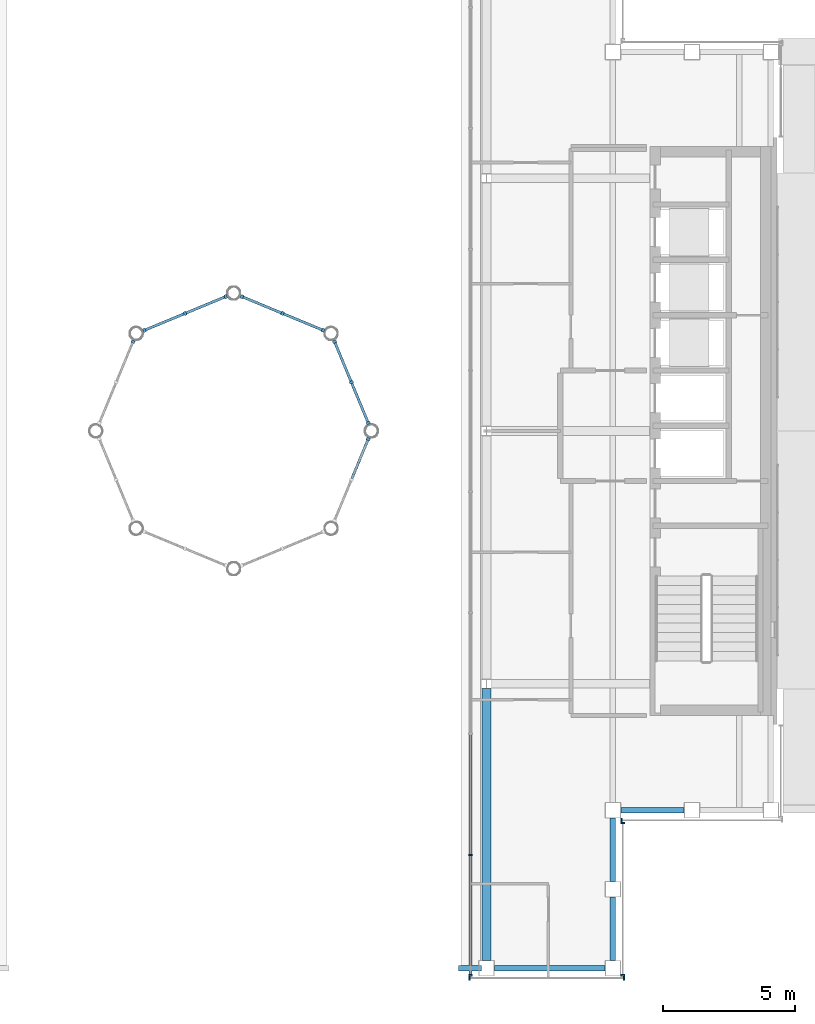
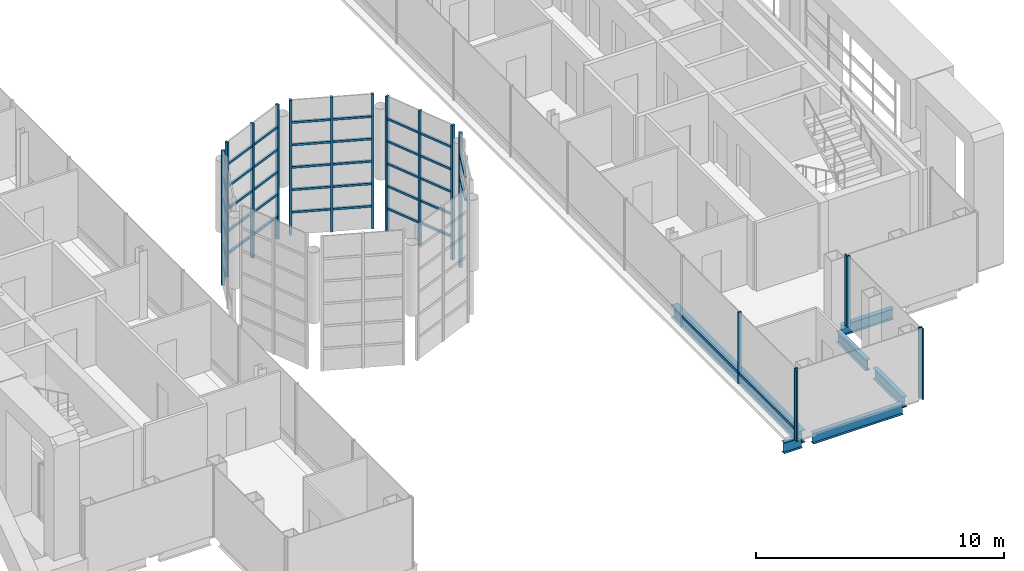
# One storey, part 6 of 21: 52 members, 6 beams, 9 elements without a shape of their own.
"""IFC4 building model written with IfcOpenShell, lengths in metres."""

import ifcopenshell
import ifcopenshell.guid

model = None  # the IFC model being written
_history = None  # IfcOwnerHistory: only IFC2X3 demands one
_inside = {}  # id of a spatial element -> (the spatial element, [elements in it])
_under = {}  # id of a project, library or spatial element -> (it, [spatial elements below it])
_declared = {}  # id of a project -> (the project, [libraries it declares])
_typed = {}  # id of a type object -> (the type object, [elements of that type])
_made_of = {}  # id of a material, layer set ... -> (it, [elements and type objects made of it])


def new_model(schema):
    """Start an empty IFC model of exactly this schema.

    Asked for "IFC4X3", IfcOpenShell would pick the latest addendum, in which some entities
    have other attributes; the version numbers below select the first issue.
    IFC2X3 requires an IfcOwnerHistory on every rooted entity: one is made here for all.
    """
    global model, _history
    if schema == "IFC4X3":
        model = ifcopenshell.file(schema_version=(4, 3, 0, 0))
    else:
        model = ifcopenshell.file(schema=schema)
    _inside.clear()
    _under.clear()
    _declared.clear()
    _typed.clear()
    _made_of.clear()
    _history = None
    if model.schema == "IFC2X3":
        org = make("IfcOrganization", Name="unknown")
        user = make(
            "IfcPersonAndOrganization",
            ThePerson=make("IfcPerson", FamilyName="unknown"),
            TheOrganization=org,
        )
        app = make(
            "IfcApplication",
            ApplicationDeveloper=org,
            Version="unknown",
            ApplicationFullName="unknown",
            ApplicationIdentifier="unknown",
        )
        _history = make(
            "IfcOwnerHistory",
            OwningUser=user,
            OwningApplication=app,
            ChangeAction="ADDED",
            CreationDate=0,
        )
    return model


def make(cls, **values):
    """One entity of the class cls with the attributes given. An attribute that is None is left unset."""
    return model.create_entity(
        cls, **{name: value for name, value in values.items() if value is not None}
    )


def rooted(cls, **values):
    """An entity with a GlobalId (a new one), such as an element, a storey or a relation."""
    return make(cls, GlobalId=ifcopenshell.guid.new(), OwnerHistory=_history, **values)


def si_unit(unit_type, name, prefix=None):
    """IfcSIUnit, for example si_unit("LENGTHUNIT", "METRE", prefix="MILLI")."""
    return make("IfcSIUnit", UnitType=unit_type, Prefix=prefix, Name=name)


def assignment(units):
    """IfcUnitAssignment: the units of a project."""
    return None if units is None else make("IfcUnitAssignment", Units=units)


def point(xyz):
    """IfcCartesianPoint."""
    return None if xyz is None else make("IfcCartesianPoint", Coordinates=xyz)


def direction(xyz):
    """IfcDirection."""
    return None if xyz is None else make("IfcDirection", DirectionRatios=xyz)


def frame(location, z_axis=None, x_axis=None):
    """IfcAxis2Placement3D, a coordinate frame: its origin and axes. An axis left out is left unset."""
    return make(
        "IfcAxis2Placement3D",
        Location=point(location),
        Axis=direction(z_axis),
        RefDirection=direction(x_axis),
    )


def frame_2d(location, x_axis=None):
    """IfcAxis2Placement2D, a coordinate frame in the plane: its origin and x axis."""
    return make(
        "IfcAxis2Placement2D", Location=point(location), RefDirection=direction(x_axis)
    )


def origin():
    """The frame at (0, 0, 0) with its axes left unset."""
    return frame((0.0, 0.0, 0.0))


def origin_2d():
    """The frame at (0, 0) in the plane with its x axis left unset."""
    return frame_2d((0.0, 0.0))


def place(relative_to, where):
    """IfcLocalPlacement: puts the frame where relative to a parent placement (None: the world)."""
    return make(
        "IfcLocalPlacement", PlacementRelTo=relative_to, RelativePlacement=where
    )


def context(
    kind, dimensions, precision=None, world=None, true_north=None, identifier=None
):
    """IfcGeometricRepresentationContext, for example the 3D "Model" context."""
    return make(
        "IfcGeometricRepresentationContext",
        ContextIdentifier=identifier,
        ContextType=kind,
        CoordinateSpaceDimension=dimensions,
        Precision=precision,
        WorldCoordinateSystem=world,
        TrueNorth=true_north,
    )


def subcontext(parent, identifier, kind, view, scale=None):
    """IfcGeometricRepresentationSubContext, for example "Body" below "Model"."""
    return make(
        "IfcGeometricRepresentationSubContext",
        ContextIdentifier=identifier,
        ContextType=kind,
        ParentContext=parent,
        TargetScale=scale,
        TargetView=view,
    )


def project(units=None, contexts=None):
    """IfcProject with its units and contexts."""
    return rooted(
        "IfcProject",
        Name="project",
        RepresentationContexts=contexts,
        UnitsInContext=assignment(units),
    )


def spatial(cls, under=None, at=None, **own):
    """A site, building, storey or space (cls), placed at a placement, below another one or the project."""
    s = rooted(cls, ObjectPlacement=at, **own)
    if under is not None:
        _under.setdefault(under.id(), (under, []))[1].append(s)
    return s


def profile(cls, at=None, kind="AREA", **sizes):
    """A parametric profile (cls). Its sizes go by their IFC names, for example OverallWidth=200.0."""
    return make(cls, ProfileType=kind, Position=at, **sizes)


def rectangle(**sizes):
    """IfcRectangleProfileDef."""
    return profile("IfcRectangleProfileDef", **sizes)


def i_section(**sizes):
    """IfcIShapeProfileDef."""
    return profile("IfcIShapeProfileDef", **sizes)


def extrude(swept, where, along, depth):
    """IfcExtrudedAreaSolid: the profile swept, set in the frame where, extruded along a direction by depth."""
    return make(
        "IfcExtrudedAreaSolid",
        SweptArea=swept,
        Position=where,
        ExtrudedDirection=direction(along),
        Depth=depth,
    )


def shape(context_of_items, identifier, shape_type, items):
    """IfcShapeRepresentation: the items that make up one representation, for example the "Body"."""
    return make(
        "IfcShapeRepresentation",
        ContextOfItems=context_of_items,
        RepresentationIdentifier=identifier,
        RepresentationType=shape_type,
        Items=items,
    )


def material(Name=None, Category=None):
    """IfcMaterial."""
    return make("IfcMaterial", Name=Name, Category=Category)


def material_profile(
    of_material, cross_section, Name=None, Category=None, Priority=None
):
    """IfcMaterialProfile: a cross section and its material."""
    return make(
        "IfcMaterialProfile",
        Name=Name,
        Material=of_material,
        Profile=cross_section,
        Priority=Priority,
        Category=Category,
    )


def profile_set(profiles, Name=None, composite=None):
    """IfcMaterialProfileSet."""
    return make(
        "IfcMaterialProfileSet",
        Name=Name,
        MaterialProfiles=profiles,
        CompositeProfile=composite,
    )


def made_of(thing, what):
    """Note that an element or type object is made of a material, layer set ...; save() writes the relation."""
    if what is not None:
        _made_of.setdefault(what.id(), (what, []))[1].append(thing)
    return thing


def type_object(cls, material=None, **own):
    """A type object (cls), such as IfcWallType, which elements share."""
    return made_of(rooted(cls, **own), material)


def element(
    cls,
    number,
    at=None,
    inside=None,
    cuts=None,
    type_object=None,
    material=None,
    context=None,
    identifier="Body",
    shape_type=None,
    held_by="IfcProductDefinitionShape",
    body=None,
    shapes=None,
    **own,
):
    """One element of the class cls, such as IfcWall. Its Tag is "e" and its number.

    at: its placement. inside: the storey or other place that contains it. cuts: it is an
    opening in that element (IfcRelVoidsElement). A single representation is given by context,
    identifier, shape_type and body (its items); several are given by shapes. held_by: the class
    of the entity that holds the representations. save() writes the other relations.
    """
    e = rooted(cls, Tag="e%d" % number, ObjectPlacement=at, **own)
    if body is not None:
        shapes = [shape(context, identifier, shape_type, body)]
    if shapes is not None:
        e.Representation = make(held_by, Representations=shapes)
    if inside is not None:
        _inside.setdefault(inside.id(), (inside, []))[1].append(e)
    if cuts is not None:
        rooted(
            "IfcRelVoidsElement", RelatingBuildingElement=cuts, RelatedOpeningElement=e
        )
    if type_object is not None:
        _typed.setdefault(type_object.id(), (type_object, []))[1].append(e)
    return made_of(e, material)


def aggregate(whole, parts):
    """IfcRelAggregates: a whole, such as a stair, and the parts it consists of."""
    return rooted("IfcRelAggregates", RelatingObject=whole, RelatedObjects=parts)


def save(model, path):
    """Write the relations noted so far, then the file.

    IfcRelAggregates (storeys below a building ...), IfcRelContainedInSpatialStructure (elements
    in a storey), IfcRelDefinesByType, IfcRelAssociatesMaterial and IfcRelDeclares: one each for
    every whole, place, type object, material and project.
    """
    for whole, parts in _under.values():
        aggregate(whole, parts)
    for where, things in _inside.values():
        rooted(
            "IfcRelContainedInSpatialStructure",
            RelatedElements=things,
            RelatingStructure=where,
        )
    for kind, things in _typed.values():
        rooted("IfcRelDefinesByType", RelatedObjects=things, RelatingType=kind)
    for what, things in _made_of.values():
        rooted("IfcRelAssociatesMaterial", RelatedObjects=things, RelatingMaterial=what)
    for by, libraries in _declared.values():
        rooted("IfcRelDeclares", RelatingContext=by, RelatedDefinitions=libraries)
    model.write(path)


model = new_model("IFC4")

# Units and contexts
model_context = context("Model", 3, precision=1e-05, world=origin(), true_north=direction((0.0, 1.0)))
body_context = subcontext(model_context, "Body", "Model", "MODEL_VIEW")
ifc_project = project(units=[si_unit("LENGTHUNIT", "METRE"), si_unit("AREAUNIT", "SQUARE_METRE"), si_unit("VOLUMEUNIT", "CUBIC_METRE"), si_unit("PLANEANGLEUNIT", "RADIAN"), si_unit("MASSUNIT", "GRAM", prefix="KILO")], contexts=[model_context])

# Site, building, storey
site_placement = place(None, origin())
site = spatial("IfcSite", under=ifc_project, at=site_placement, CompositionType="ELEMENT")
building_placement = place(site_placement, origin())
building = spatial("IfcBuilding", under=site, at=building_placement, Name="Cobrizo Arcos Hotel Tower", CompositionType="ELEMENT")
storey_placement = place(building_placement, frame((0.0, 0.0, 276.0)))
storey = spatial("IfcBuildingStorey", under=building, at=storey_placement, Name="L73", CompositionType="ELEMENT", Elevation=276.0)

# Curtain wall, members
ifc_material_1 = material(Name="Aluminium 6063-T6 anodised bronze", Category="aluminium")
curtain_wall_type_1 = type_object("IfcCurtainWallType", Name="CW-A guest facade", PredefinedType="NOTDEFINED", material=ifc_material_1)
curtain_wall_1_placement = place(storey_placement, origin())
curtain_wall_1 = element("IfcCurtainWall", 1, at=curtain_wall_1_placement, inside=storey, type_object=curtain_wall_type_1, Name="CW-A L73 S face", PredefinedType="NOTDEFINED")
ifc_material_profile_1 = material_profile(ifc_material_1, rectangle(XDim=0.14990234375, YDim=0.06005859375, at=origin_2d()), Name="CW-A mullion 150x60")
ifc_profile_set_1 = profile_set([ifc_material_profile_1], Name="Aluminium 6063-T6 anodised bronze")
member_type_1 = type_object("IfcMemberType", Name="CW-A mullion 150x60", PredefinedType="MULLION", material=ifc_profile_set_1)
member_1_placement = place(storey_placement, frame((8.945068359375, -20.77490234375, 0.0), z_axis=(0.0, 0.0, 1.0), x_axis=(0.0, -1.0, 0.0)))
member_1 = element("IfcMember", 2, at=member_1_placement, type_object=member_type_1, Name="CW-A mullion 1", PredefinedType="MULLION", context=body_context, shape_type="SweptSolid", body=[
    extrude(rectangle(XDim=0.14990234375, YDim=0.06005859375, at=origin_2d()), origin(), (0.0, 0.0, 1.0), 3.5),
])
member_2_placement = place(storey_placement, frame((14.820068359375, -20.77490234375, 0.0), z_axis=(0.0, 0.0, 1.0), x_axis=(0.0, -1.0, 0.0)))
member_2 = element("IfcMember", 3, at=member_2_placement, type_object=member_type_1, Name="CW-A mullion 2", PredefinedType="MULLION", context=body_context, shape_type="SweptSolid", body=[
    extrude(rectangle(XDim=0.14990234375, YDim=0.06005859375, at=origin_2d()), origin(), (0.0, 0.0, 1.0), 3.5),
])
aggregate(curtain_wall_1, [member_1, member_2])

curtain_wall_2_placement = place(storey_placement, origin())
curtain_wall_2 = element("IfcCurtainWall", 4, at=curtain_wall_2_placement, inside=storey, type_object=curtain_wall_type_1, Name="CW-A L73 E face", PredefinedType="NOTDEFINED")
member_3_placement = place(storey_placement, frame((14.77490234375, -20.669921875, 0.0), z_axis=(0.0, 0.0, 1.0), x_axis=(1.0, 0.0, 0.0)))
member_3 = element("IfcMember", 5, at=member_3_placement, type_object=member_type_1, Name="CW-A mullion 1", PredefinedType="MULLION", context=body_context, shape_type="SweptSolid", body=[
    extrude(rectangle(XDim=0.14990234375, YDim=0.06005859375, at=origin_2d()), origin(), (0.0, 0.0, 1.0), 3.5),
])
member_4_placement = place(storey_placement, frame((14.77490234375, -14.8798828125, 0.0), z_axis=(0.0, 0.0, 1.0), x_axis=(1.0, 0.0, 0.0)))
member_4 = element("IfcMember", 6, at=member_4_placement, type_object=member_type_1, Name="CW-A mullion 2", PredefinedType="MULLION", context=body_context, shape_type="SweptSolid", body=[
    extrude(rectangle(XDim=0.14990234375, YDim=0.06005859375, at=origin_2d()), origin(), (0.0, 0.0, 1.0), 3.5),
])
aggregate(curtain_wall_2, [member_3, member_4])

# Curtain wall, member
curtain_wall_3_placement = place(storey_placement, origin())
curtain_wall_3 = element("IfcCurtainWall", 7, at=curtain_wall_3_placement, inside=storey, type_object=curtain_wall_type_1, Name="CW-A L73 S face", PredefinedType="NOTDEFINED")
member_5_placement = place(storey_placement, frame((14.72998046875, -14.77490234375, 0.0), z_axis=(0.0, 0.0, 1.0), x_axis=(0.0, -1.0, 0.0)))
member_5 = element("IfcMember", 8, at=member_5_placement, type_object=member_type_1, Name="CW-A mullion 1", PredefinedType="MULLION", context=body_context, shape_type="SweptSolid", body=[
    extrude(rectangle(XDim=0.14990234375, YDim=0.06005859375, at=origin_2d()), origin(), (0.0, 0.0, 1.0), 3.5),
])
aggregate(curtain_wall_3, [member_5])

# Curtain wall, members
curtain_wall_type_2 = type_object("IfcCurtainWallType", Name="CW-C arch infill and crown glazing", PredefinedType="NOTDEFINED", material=ifc_material_1)
curtain_wall_4_placement = place(storey_placement, origin())
curtain_wall_4 = element("IfcCurtainWall", 9, at=curtain_wall_4_placement, inside=storey, type_object=curtain_wall_type_2, Name="CW-C L73 W face", PredefinedType="NOTDEFINED")
ifc_material_profile_2 = material_profile(ifc_material_1, rectangle(XDim=0.14990234375, YDim=0.070068359375, at=origin_2d()), Name="CW-C mullion 150x70")
ifc_profile_set_2 = profile_set([ifc_material_profile_2], Name="Aluminium 6063-T6 anodised bronze")
member_type_2 = type_object("IfcMemberType", Name="CW-C mullion 150x70", PredefinedType="MULLION", material=ifc_profile_set_2)
member_6_placement = place(storey_placement, frame((8.989990234375, -16.10009765625, 0.0), z_axis=(0.0, 0.0, 1.0), x_axis=(-1.0, 0.0, 0.0)))
member_6 = element("IfcMember", 10, at=member_6_placement, type_object=member_type_2, Name="CW-C mullion 9", PredefinedType="MULLION", context=body_context, shape_type="SweptSolid", body=[
    extrude(rectangle(XDim=0.14990234375, YDim=0.070068359375, at=origin_2d()), origin(), (0.0, 0.0, 1.0), 3.5),
])
member_7_placement = place(storey_placement, frame((8.989990234375, -20.6650390625, 0.0), z_axis=(0.0, 0.0, 1.0), x_axis=(-1.0, 0.0, 0.0)))
member_7 = element("IfcMember", 11, at=member_7_placement, type_object=member_type_2, Name="CW-C mullion 10", PredefinedType="MULLION", context=body_context, shape_type="SweptSolid", body=[
    extrude(rectangle(XDim=0.14990234375, YDim=0.070068359375, at=origin_2d()), origin(), (0.0, 0.0, 1.0), 3.5),
])
ifc_material_profile_3 = material_profile(ifc_material_1, rectangle(XDim=0.10009765625, YDim=0.139892578125, at=origin_2d()), Name="CW-C transom 140x100")
ifc_profile_set_3 = profile_set([ifc_material_profile_3], Name="Aluminium 6063-T6 anodised bronze")
member_type_3 = type_object("IfcMemberType", Name="CW-C transom 140x100", PredefinedType="USERDEFINED", material=ifc_profile_set_3)
member_8_placement = place(storey_placement, frame((8.989990234375, -11.534912109375, 0.5), z_axis=(0.0, -1.0, 0.0), x_axis=(1.0, 0.0, 0.0)))
member_8 = element("IfcMember", 12, at=member_8_placement, type_object=member_type_3, Name="CW-C transom 2298", ObjectType="TRANSOM", PredefinedType="USERDEFINED", context=body_context, shape_type="SweptSolid", body=[
    extrude(rectangle(XDim=0.10009765625, YDim=0.139892578125, at=origin_2d()), origin(), (0.0, 0.0, 1.0), 4.530029296875),
])
member_9_placement = place(storey_placement, frame((8.989990234375, -16.135009765625, 0.5), z_axis=(0.0, -1.0, 0.0), x_axis=(1.0, 0.0, 0.0)))
member_9 = element("IfcMember", 13, at=member_9_placement, type_object=member_type_3, Name="CW-C transom 2299", ObjectType="TRANSOM", PredefinedType="USERDEFINED", context=body_context, shape_type="SweptSolid", body=[
    extrude(rectangle(XDim=0.10009765625, YDim=0.139892578125, at=origin_2d()), origin(), (0.0, 0.0, 1.0), 4.494873046875),
])
aggregate(curtain_wall_4, [member_6, member_7, member_8, member_9])

curtain_wall_type_3 = type_object("IfcCurtainWallType", Name="CW-D plant louvre wall", PredefinedType="NOTDEFINED", material=ifc_material_1)
curtain_wall_5_placement = place(storey_placement, origin())
curtain_wall_5 = element("IfcCurtainWall", 14, at=curtain_wall_5_placement, inside=storey, type_object=curtain_wall_type_3, Name="CW-D drum louvre wall t1-1", PredefinedType="NOTDEFINED")
ifc_material_profile_4 = material_profile(ifc_material_1, rectangle(XDim=0.14990234375, YDim=0.10009765625, at=origin_2d()), Name="CW-D mullion 150x100")
ifc_profile_set_4 = profile_set([ifc_material_profile_4], Name="Aluminium 6063-T6 anodised bronze")
member_type_4 = type_object("IfcMemberType", Name="CW-D mullion 150x100", PredefinedType="MULLION", material=ifc_profile_set_4)
member_10_placement = place(storey_placement, frame((5.104736328125, 0.30859375, -2.5), z_axis=(0.0, 0.0, 1.0), x_axis=(0.923879532511, 0.382683432365, 0.0)))
member_10 = element("IfcMember", 15, at=member_10_placement, type_object=member_type_4, Name="CW-D mullion 1", PredefinedType="MULLION", context=body_context, shape_type="SweptSolid", body=[
    extrude(rectangle(XDim=0.14990234375, YDim=0.10009765625, at=origin_2d()), origin(), (0.0, 0.0, 1.0), 6.63330078125),
])
member_11_placement = place(storey_placement, frame((4.46630859375, 1.85009765625, -2.5), z_axis=(0.0, 0.0, 1.0), x_axis=(0.923879532511, 0.382683432365, 0.0)))
member_11 = element("IfcMember", 16, at=member_11_placement, type_object=member_type_4, Name="CW-D mullion 2", PredefinedType="MULLION", context=body_context, shape_type="SweptSolid", body=[
    extrude(rectangle(XDim=0.14990234375, YDim=0.10009765625, at=origin_2d()), origin(), (0.0, 0.0, 1.0), 6.63330078125),
])
member_12_placement = place(storey_placement, frame((3.827880859375, 3.391357421875, -2.5), z_axis=(0.0, 0.0, 1.0), x_axis=(0.923879532511, 0.382683432365, 0.0)))
member_12 = element("IfcMember", 17, at=member_12_placement, type_object=member_type_4, Name="CW-D mullion 3", PredefinedType="MULLION", context=body_context, shape_type="SweptSolid", body=[
    extrude(rectangle(XDim=0.14990234375, YDim=0.10009765625, at=origin_2d()), origin(), (0.0, 0.0, 1.0), 6.63330078125),
])

curtain_wall_6_placement = place(storey_placement, origin())
curtain_wall_6 = element("IfcCurtainWall", 18, at=curtain_wall_6_placement, inside=storey, type_object=curtain_wall_type_3, Name="CW-D drum louvre wall t1-2", PredefinedType="NOTDEFINED")
member_13_placement = place(storey_placement, frame((3.391357421875, 3.827880859375, -2.5), z_axis=(0.0, 0.0, 1.0), x_axis=(0.382683432365, 0.923879532511, 0.0)))
member_13 = element("IfcMember", 19, at=member_13_placement, type_object=member_type_4, Name="CW-D mullion 1", PredefinedType="MULLION", context=body_context, shape_type="SweptSolid", body=[
    extrude(rectangle(XDim=0.14990234375, YDim=0.10009765625, at=origin_2d()), origin(), (0.0, 0.0, 1.0), 6.63330078125),
])
member_14_placement = place(storey_placement, frame((1.85009765625, 4.46630859375, -2.5), z_axis=(0.0, 0.0, 1.0), x_axis=(0.382683432365, 0.923879532511, 0.0)))
member_14 = element("IfcMember", 20, at=member_14_placement, type_object=member_type_4, Name="CW-D mullion 2", PredefinedType="MULLION", context=body_context, shape_type="SweptSolid", body=[
    extrude(rectangle(XDim=0.14990234375, YDim=0.10009765625, at=origin_2d()), origin(), (0.0, 0.0, 1.0), 6.63330078125),
])
member_15_placement = place(storey_placement, frame((0.30859375, 5.104736328125, -2.5), z_axis=(0.0, 0.0, 1.0), x_axis=(0.382683432365, 0.923879532511, 0.0)))
member_15 = element("IfcMember", 21, at=member_15_placement, type_object=member_type_4, Name="CW-D mullion 3", PredefinedType="MULLION", context=body_context, shape_type="SweptSolid", body=[
    extrude(rectangle(XDim=0.14990234375, YDim=0.10009765625, at=origin_2d()), origin(), (0.0, 0.0, 1.0), 6.63330078125),
])

curtain_wall_7_placement = place(storey_placement, origin())
curtain_wall_7 = element("IfcCurtainWall", 22, at=curtain_wall_7_placement, inside=storey, type_object=curtain_wall_type_3, Name="CW-D drum louvre wall t1-3", PredefinedType="NOTDEFINED")
member_16_placement = place(storey_placement, frame((-0.30859375, 5.104736328125, -2.5), z_axis=(0.0, 0.0, 1.0), x_axis=(-0.382683432365, 0.923879532511, 0.0)))
member_16 = element("IfcMember", 23, at=member_16_placement, type_object=member_type_4, Name="CW-D mullion 1", PredefinedType="MULLION", context=body_context, shape_type="SweptSolid", body=[
    extrude(rectangle(XDim=0.14990234375, YDim=0.10009765625, at=origin_2d()), origin(), (0.0, 0.0, 1.0), 6.63330078125),
])
member_17_placement = place(storey_placement, frame((-1.85009765625, 4.46630859375, -2.5), z_axis=(0.0, 0.0, 1.0), x_axis=(-0.382683432365, 0.923879532511, 0.0)))
member_17 = element("IfcMember", 24, at=member_17_placement, type_object=member_type_4, Name="CW-D mullion 2", PredefinedType="MULLION", context=body_context, shape_type="SweptSolid", body=[
    extrude(rectangle(XDim=0.14990234375, YDim=0.10009765625, at=origin_2d()), origin(), (0.0, 0.0, 1.0), 6.63330078125),
])
member_18_placement = place(storey_placement, frame((-3.391357421875, 3.827880859375, -2.5), z_axis=(0.0, 0.0, 1.0), x_axis=(-0.382683432365, 0.923879532511, 0.0)))
member_18 = element("IfcMember", 25, at=member_18_placement, type_object=member_type_4, Name="CW-D mullion 3", PredefinedType="MULLION", context=body_context, shape_type="SweptSolid", body=[
    extrude(rectangle(XDim=0.14990234375, YDim=0.10009765625, at=origin_2d()), origin(), (0.0, 0.0, 1.0), 6.63330078125),
])

# Curtain wall, member
curtain_wall_8_placement = place(storey_placement, origin())
curtain_wall_8 = element("IfcCurtainWall", 26, at=curtain_wall_8_placement, inside=storey, type_object=curtain_wall_type_3, Name="CW-D drum louvre wall t1-4", PredefinedType="NOTDEFINED")
member_19_placement = place(storey_placement, frame((-3.827880859375, 3.391357421875, -2.5), z_axis=(0.0, 0.0, 1.0), x_axis=(-0.923879532511, 0.382683432365, 0.0)))
member_19 = element("IfcMember", 27, at=member_19_placement, type_object=member_type_4, Name="CW-D mullion 1", PredefinedType="MULLION", context=body_context, shape_type="SweptSolid", body=[
    extrude(rectangle(XDim=0.14990234375, YDim=0.10009765625, at=origin_2d()), origin(), (0.0, 0.0, 1.0), 6.63330078125),
])
aggregate(curtain_wall_8, [member_19])

curtain_wall_9_placement = place(storey_placement, origin())
curtain_wall_9 = element("IfcCurtainWall", 28, at=curtain_wall_9_placement, inside=storey, type_object=curtain_wall_type_3, Name="CW-D drum louvre wall t1-8", PredefinedType="NOTDEFINED")
member_20_placement = place(storey_placement, frame((5.104736328125, -0.30859375, -2.5), z_axis=(0.0, 0.0, 1.0), x_axis=(0.923879532511, -0.382683432365, 0.0)))
member_20 = element("IfcMember", 29, at=member_20_placement, type_object=member_type_4, Name="CW-D mullion 3", PredefinedType="MULLION", context=body_context, shape_type="SweptSolid", body=[
    extrude(rectangle(XDim=0.14990234375, YDim=0.10009765625, at=origin_2d()), origin(), (0.0, 0.0, 1.0), 6.63330078125),
])

# Member
ifc_material_profile_5 = material_profile(ifc_material_1, rectangle(XDim=0.10009765625, YDim=0.10009765625, at=origin_2d()), Name="CW-D transom 100x100")
ifc_profile_set_5 = profile_set([ifc_material_profile_5], Name="Aluminium 6063-T6 anodised bronze")
member_type_5 = type_object("IfcMemberType", Name="CW-D transom 100x100", PredefinedType="USERDEFINED", material=ifc_profile_set_5)
member_21_placement = place(storey_placement, frame((5.085693359375, 0.354736328125, -1.394287109375), z_axis=(-0.382768797092, 0.923844168663, 0.0), x_axis=(-0.923844168663, -0.382768797092, 0.0)))
member_21 = element("IfcMember", 30, at=member_21_placement, type_object=member_type_5, Name="CW-D transom 1-1", ObjectType="TRANSOM", PredefinedType="USERDEFINED", context=body_context, shape_type="SweptSolid", body=[
    extrude(rectangle(XDim=0.10009765625, YDim=0.10009765625, at=origin_2d()), origin(), (0.0, 0.0, 1.0), 1.568359375),
])

member_22_placement = place(storey_placement, frame((5.085693359375, 0.354736328125, -0.288818359375), z_axis=(-0.382768797092, 0.923844168663, 0.0), x_axis=(-0.923844168663, -0.382768797092, 0.0)))
member_22 = element("IfcMember", 31, at=member_22_placement, type_object=member_type_5, Name="CW-D transom 1-2", ObjectType="TRANSOM", PredefinedType="USERDEFINED", context=body_context, shape_type="SweptSolid", body=[
    extrude(rectangle(XDim=0.10009765625, YDim=0.10009765625, at=origin_2d()), origin(), (0.0, 0.0, 1.0), 1.568359375),
])

member_23_placement = place(storey_placement, frame((5.085693359375, 0.354736328125, 0.816650390625), z_axis=(-0.382768797092, 0.923844168663, 0.0), x_axis=(-0.923844168663, -0.382768797092, 0.0)))
member_23 = element("IfcMember", 32, at=member_23_placement, type_object=member_type_5, Name="CW-D transom 1-3", ObjectType="TRANSOM", PredefinedType="USERDEFINED", context=body_context, shape_type="SweptSolid", body=[
    extrude(rectangle(XDim=0.10009765625, YDim=0.10009765625, at=origin_2d()), origin(), (0.0, 0.0, 1.0), 1.568359375),
])

member_24_placement = place(storey_placement, frame((5.085693359375, 0.354736328125, 1.922119140625), z_axis=(-0.382768797092, 0.923844168663, 0.0), x_axis=(-0.923844168663, -0.382768797092, 0.0)))
member_24 = element("IfcMember", 33, at=member_24_placement, type_object=member_type_5, Name="CW-D transom 1-4", ObjectType="TRANSOM", PredefinedType="USERDEFINED", context=body_context, shape_type="SweptSolid", body=[
    extrude(rectangle(XDim=0.10009765625, YDim=0.10009765625, at=origin_2d()), origin(), (0.0, 0.0, 1.0), 1.568359375),
])

member_25_placement = place(storey_placement, frame((5.085693359375, 0.354736328125, 3.02783203125), z_axis=(-0.382768797092, 0.923844168663, 0.0), x_axis=(-0.923844168663, -0.382768797092, 0.0)))
member_25 = element("IfcMember", 34, at=member_25_placement, type_object=member_type_5, Name="CW-D transom 1-5", ObjectType="TRANSOM", PredefinedType="USERDEFINED", context=body_context, shape_type="SweptSolid", body=[
    extrude(rectangle(XDim=0.10009765625, YDim=0.10009765625, at=origin_2d()), origin(), (0.0, 0.0, 1.0), 1.568359375),
])

member_26_placement = place(storey_placement, frame((4.447265625, 1.896240234375, -1.394287109375), z_axis=(-0.382768797092, 0.923844168663, 0.0), x_axis=(-0.923844168663, -0.382768797092, 0.0)))
member_26 = element("IfcMember", 35, at=member_26_placement, type_object=member_type_5, Name="CW-D transom 2-1", ObjectType="TRANSOM", PredefinedType="USERDEFINED", context=body_context, shape_type="SweptSolid", body=[
    extrude(rectangle(XDim=0.10009765625, YDim=0.10009765625, at=origin_2d()), origin(), (0.0, 0.0, 1.0), 1.568359375),
])

member_27_placement = place(storey_placement, frame((4.447265625, 1.896240234375, -0.288818359375), z_axis=(-0.382768797092, 0.923844168663, 0.0), x_axis=(-0.923844168663, -0.382768797092, 0.0)))
member_27 = element("IfcMember", 36, at=member_27_placement, type_object=member_type_5, Name="CW-D transom 2-2", ObjectType="TRANSOM", PredefinedType="USERDEFINED", context=body_context, shape_type="SweptSolid", body=[
    extrude(rectangle(XDim=0.10009765625, YDim=0.10009765625, at=origin_2d()), origin(), (0.0, 0.0, 1.0), 1.568359375),
])

member_28_placement = place(storey_placement, frame((4.447265625, 1.896240234375, 0.816650390625), z_axis=(-0.382768797092, 0.923844168663, 0.0), x_axis=(-0.923844168663, -0.382768797092, 0.0)))
member_28 = element("IfcMember", 37, at=member_28_placement, type_object=member_type_5, Name="CW-D transom 2-3", ObjectType="TRANSOM", PredefinedType="USERDEFINED", context=body_context, shape_type="SweptSolid", body=[
    extrude(rectangle(XDim=0.10009765625, YDim=0.10009765625, at=origin_2d()), origin(), (0.0, 0.0, 1.0), 1.568359375),
])

member_29_placement = place(storey_placement, frame((4.447265625, 1.896240234375, 1.922119140625), z_axis=(-0.382768797092, 0.923844168663, 0.0), x_axis=(-0.923844168663, -0.382768797092, 0.0)))
member_29 = element("IfcMember", 38, at=member_29_placement, type_object=member_type_5, Name="CW-D transom 2-4", ObjectType="TRANSOM", PredefinedType="USERDEFINED", context=body_context, shape_type="SweptSolid", body=[
    extrude(rectangle(XDim=0.10009765625, YDim=0.10009765625, at=origin_2d()), origin(), (0.0, 0.0, 1.0), 1.568359375),
])

member_30_placement = place(storey_placement, frame((4.447265625, 1.896240234375, 3.02783203125), z_axis=(-0.382768797092, 0.923844168663, 0.0), x_axis=(-0.923844168663, -0.382768797092, 0.0)))
member_30 = element("IfcMember", 39, at=member_30_placement, type_object=member_type_5, Name="CW-D transom 2-5", ObjectType="TRANSOM", PredefinedType="USERDEFINED", context=body_context, shape_type="SweptSolid", body=[
    extrude(rectangle(XDim=0.10009765625, YDim=0.10009765625, at=origin_2d()), origin(), (0.0, 0.0, 1.0), 1.568359375),
])

aggregate(curtain_wall_5, [member_10, member_11, member_12, member_21, member_22, member_23, member_24, member_25, member_26, member_27, member_28, member_29, member_30])

member_31_placement = place(storey_placement, frame((3.34521484375, 3.846923828125, -1.394287109375), z_axis=(-0.923844168663, 0.382768797092, 0.0), x_axis=(-0.382768797092, -0.923844168663, 0.0)))
member_31 = element("IfcMember", 40, at=member_31_placement, type_object=member_type_5, Name="CW-D transom 1-1", ObjectType="TRANSOM", PredefinedType="USERDEFINED", context=body_context, shape_type="SweptSolid", body=[
    extrude(rectangle(XDim=0.10009765625, YDim=0.10009765625, at=origin_2d()), origin(), (0.0, 0.0, 1.0), 1.568359375),
])

member_32_placement = place(storey_placement, frame((3.34521484375, 3.846923828125, -0.288818359375), z_axis=(-0.923844168663, 0.382768797092, 0.0), x_axis=(-0.382768797092, -0.923844168663, 0.0)))
member_32 = element("IfcMember", 41, at=member_32_placement, type_object=member_type_5, Name="CW-D transom 1-2", ObjectType="TRANSOM", PredefinedType="USERDEFINED", context=body_context, shape_type="SweptSolid", body=[
    extrude(rectangle(XDim=0.10009765625, YDim=0.10009765625, at=origin_2d()), origin(), (0.0, 0.0, 1.0), 1.568359375),
])

member_33_placement = place(storey_placement, frame((3.34521484375, 3.846923828125, 0.816650390625), z_axis=(-0.923844168663, 0.382768797092, 0.0), x_axis=(-0.382768797092, -0.923844168663, 0.0)))
member_33 = element("IfcMember", 42, at=member_33_placement, type_object=member_type_5, Name="CW-D transom 1-3", ObjectType="TRANSOM", PredefinedType="USERDEFINED", context=body_context, shape_type="SweptSolid", body=[
    extrude(rectangle(XDim=0.10009765625, YDim=0.10009765625, at=origin_2d()), origin(), (0.0, 0.0, 1.0), 1.568359375),
])

member_34_placement = place(storey_placement, frame((3.34521484375, 3.846923828125, 1.922119140625), z_axis=(-0.923844168663, 0.382768797092, 0.0), x_axis=(-0.382768797092, -0.923844168663, 0.0)))
member_34 = element("IfcMember", 43, at=member_34_placement, type_object=member_type_5, Name="CW-D transom 1-4", ObjectType="TRANSOM", PredefinedType="USERDEFINED", context=body_context, shape_type="SweptSolid", body=[
    extrude(rectangle(XDim=0.10009765625, YDim=0.10009765625, at=origin_2d()), origin(), (0.0, 0.0, 1.0), 1.568359375),
])

member_35_placement = place(storey_placement, frame((3.34521484375, 3.846923828125, 3.02783203125), z_axis=(-0.923844168663, 0.382768797092, 0.0), x_axis=(-0.382768797092, -0.923844168663, 0.0)))
member_35 = element("IfcMember", 44, at=member_35_placement, type_object=member_type_5, Name="CW-D transom 1-5", ObjectType="TRANSOM", PredefinedType="USERDEFINED", context=body_context, shape_type="SweptSolid", body=[
    extrude(rectangle(XDim=0.10009765625, YDim=0.10009765625, at=origin_2d()), origin(), (0.0, 0.0, 1.0), 1.568359375),
])

member_36_placement = place(storey_placement, frame((1.8037109375, 4.4853515625, -1.394287109375), z_axis=(-0.923844168663, 0.382768797092, 0.0), x_axis=(-0.382768797092, -0.923844168663, 0.0)))
member_36 = element("IfcMember", 45, at=member_36_placement, type_object=member_type_5, Name="CW-D transom 2-1", ObjectType="TRANSOM", PredefinedType="USERDEFINED", context=body_context, shape_type="SweptSolid", body=[
    extrude(rectangle(XDim=0.10009765625, YDim=0.10009765625, at=origin_2d()), origin(), (0.0, 0.0, 1.0), 1.568359375),
])

member_37_placement = place(storey_placement, frame((1.8037109375, 4.4853515625, -0.288818359375), z_axis=(-0.923844168663, 0.382768797092, 0.0), x_axis=(-0.382768797092, -0.923844168663, 0.0)))
member_37 = element("IfcMember", 46, at=member_37_placement, type_object=member_type_5, Name="CW-D transom 2-2", ObjectType="TRANSOM", PredefinedType="USERDEFINED", context=body_context, shape_type="SweptSolid", body=[
    extrude(rectangle(XDim=0.10009765625, YDim=0.10009765625, at=origin_2d()), origin(), (0.0, 0.0, 1.0), 1.568359375),
])

member_38_placement = place(storey_placement, frame((1.8037109375, 4.4853515625, 0.816650390625), z_axis=(-0.923844168663, 0.382768797092, 0.0), x_axis=(-0.382768797092, -0.923844168663, 0.0)))
member_38 = element("IfcMember", 47, at=member_38_placement, type_object=member_type_5, Name="CW-D transom 2-3", ObjectType="TRANSOM", PredefinedType="USERDEFINED", context=body_context, shape_type="SweptSolid", body=[
    extrude(rectangle(XDim=0.10009765625, YDim=0.10009765625, at=origin_2d()), origin(), (0.0, 0.0, 1.0), 1.568359375),
])

member_39_placement = place(storey_placement, frame((1.8037109375, 4.4853515625, 1.922119140625), z_axis=(-0.923844168663, 0.382768797092, 0.0), x_axis=(-0.382768797092, -0.923844168663, 0.0)))
member_39 = element("IfcMember", 48, at=member_39_placement, type_object=member_type_5, Name="CW-D transom 2-4", ObjectType="TRANSOM", PredefinedType="USERDEFINED", context=body_context, shape_type="SweptSolid", body=[
    extrude(rectangle(XDim=0.10009765625, YDim=0.10009765625, at=origin_2d()), origin(), (0.0, 0.0, 1.0), 1.568359375),
])

member_40_placement = place(storey_placement, frame((1.8037109375, 4.4853515625, 3.02783203125), z_axis=(-0.923844168663, 0.382768797092, 0.0), x_axis=(-0.382768797092, -0.923844168663, 0.0)))
member_40 = element("IfcMember", 49, at=member_40_placement, type_object=member_type_5, Name="CW-D transom 2-5", ObjectType="TRANSOM", PredefinedType="USERDEFINED", context=body_context, shape_type="SweptSolid", body=[
    extrude(rectangle(XDim=0.10009765625, YDim=0.10009765625, at=origin_2d()), origin(), (0.0, 0.0, 1.0), 1.568359375),
])

aggregate(curtain_wall_6, [member_13, member_14, member_15, member_31, member_32, member_33, member_34, member_35, member_36, member_37, member_38, member_39, member_40])

member_41_placement = place(storey_placement, frame((-0.354736328125, 5.085693359375, -1.394287109375), z_axis=(-0.923844168663, -0.382768797092, 0.0), x_axis=(0.382768797092, -0.923844168663, 0.0)))
member_41 = element("IfcMember", 50, at=member_41_placement, type_object=member_type_5, Name="CW-D transom 1-1", ObjectType="TRANSOM", PredefinedType="USERDEFINED", context=body_context, shape_type="SweptSolid", body=[
    extrude(rectangle(XDim=0.10009765625, YDim=0.10009765625, at=origin_2d()), origin(), (0.0, 0.0, 1.0), 1.568359375),
])

member_42_placement = place(storey_placement, frame((-0.354736328125, 5.085693359375, -0.288818359375), z_axis=(-0.923844168663, -0.382768797092, 0.0), x_axis=(0.382768797092, -0.923844168663, 0.0)))
member_42 = element("IfcMember", 51, at=member_42_placement, type_object=member_type_5, Name="CW-D transom 1-2", ObjectType="TRANSOM", PredefinedType="USERDEFINED", context=body_context, shape_type="SweptSolid", body=[
    extrude(rectangle(XDim=0.10009765625, YDim=0.10009765625, at=origin_2d()), origin(), (0.0, 0.0, 1.0), 1.568359375),
])

member_43_placement = place(storey_placement, frame((-0.354736328125, 5.085693359375, 0.816650390625), z_axis=(-0.923844168663, -0.382768797092, 0.0), x_axis=(0.382768797092, -0.923844168663, 0.0)))
member_43 = element("IfcMember", 52, at=member_43_placement, type_object=member_type_5, Name="CW-D transom 1-3", ObjectType="TRANSOM", PredefinedType="USERDEFINED", context=body_context, shape_type="SweptSolid", body=[
    extrude(rectangle(XDim=0.10009765625, YDim=0.10009765625, at=origin_2d()), origin(), (0.0, 0.0, 1.0), 1.568359375),
])

member_44_placement = place(storey_placement, frame((-0.354736328125, 5.085693359375, 1.922119140625), z_axis=(-0.923844168663, -0.382768797092, 0.0), x_axis=(0.382768797092, -0.923844168663, 0.0)))
member_44 = element("IfcMember", 53, at=member_44_placement, type_object=member_type_5, Name="CW-D transom 1-4", ObjectType="TRANSOM", PredefinedType="USERDEFINED", context=body_context, shape_type="SweptSolid", body=[
    extrude(rectangle(XDim=0.10009765625, YDim=0.10009765625, at=origin_2d()), origin(), (0.0, 0.0, 1.0), 1.568359375),
])

member_45_placement = place(storey_placement, frame((-0.354736328125, 5.085693359375, 3.02783203125), z_axis=(-0.923844168663, -0.382768797092, 0.0), x_axis=(0.382768797092, -0.923844168663, 0.0)))
member_45 = element("IfcMember", 54, at=member_45_placement, type_object=member_type_5, Name="CW-D transom 1-5", ObjectType="TRANSOM", PredefinedType="USERDEFINED", context=body_context, shape_type="SweptSolid", body=[
    extrude(rectangle(XDim=0.10009765625, YDim=0.10009765625, at=origin_2d()), origin(), (0.0, 0.0, 1.0), 1.568359375),
])

member_46_placement = place(storey_placement, frame((-1.896240234375, 4.447265625, -1.394287109375), z_axis=(-0.923844168663, -0.382768797092, 0.0), x_axis=(0.382768797092, -0.923844168663, 0.0)))
member_46 = element("IfcMember", 55, at=member_46_placement, type_object=member_type_5, Name="CW-D transom 2-1", ObjectType="TRANSOM", PredefinedType="USERDEFINED", context=body_context, shape_type="SweptSolid", body=[
    extrude(rectangle(XDim=0.10009765625, YDim=0.10009765625, at=origin_2d()), origin(), (0.0, 0.0, 1.0), 1.568359375),
])

member_47_placement = place(storey_placement, frame((-1.896240234375, 4.447265625, -0.288818359375), z_axis=(-0.923844168663, -0.382768797092, 0.0), x_axis=(0.382768797092, -0.923844168663, 0.0)))
member_47 = element("IfcMember", 56, at=member_47_placement, type_object=member_type_5, Name="CW-D transom 2-2", ObjectType="TRANSOM", PredefinedType="USERDEFINED", context=body_context, shape_type="SweptSolid", body=[
    extrude(rectangle(XDim=0.10009765625, YDim=0.10009765625, at=origin_2d()), origin(), (0.0, 0.0, 1.0), 1.568359375),
])

member_48_placement = place(storey_placement, frame((-1.896240234375, 4.447265625, 0.816650390625), z_axis=(-0.923844168663, -0.382768797092, 0.0), x_axis=(0.382768797092, -0.923844168663, 0.0)))
member_48 = element("IfcMember", 57, at=member_48_placement, type_object=member_type_5, Name="CW-D transom 2-3", ObjectType="TRANSOM", PredefinedType="USERDEFINED", context=body_context, shape_type="SweptSolid", body=[
    extrude(rectangle(XDim=0.10009765625, YDim=0.10009765625, at=origin_2d()), origin(), (0.0, 0.0, 1.0), 1.568359375),
])

member_49_placement = place(storey_placement, frame((-1.896240234375, 4.447265625, 1.922119140625), z_axis=(-0.923844168663, -0.382768797092, 0.0), x_axis=(0.382768797092, -0.923844168663, 0.0)))
member_49 = element("IfcMember", 58, at=member_49_placement, type_object=member_type_5, Name="CW-D transom 2-4", ObjectType="TRANSOM", PredefinedType="USERDEFINED", context=body_context, shape_type="SweptSolid", body=[
    extrude(rectangle(XDim=0.10009765625, YDim=0.10009765625, at=origin_2d()), origin(), (0.0, 0.0, 1.0), 1.568359375),
])

member_50_placement = place(storey_placement, frame((-1.896240234375, 4.447265625, 3.02783203125), z_axis=(-0.923844168663, -0.382768797092, 0.0), x_axis=(0.382768797092, -0.923844168663, 0.0)))
member_50 = element("IfcMember", 59, at=member_50_placement, type_object=member_type_5, Name="CW-D transom 2-5", ObjectType="TRANSOM", PredefinedType="USERDEFINED", context=body_context, shape_type="SweptSolid", body=[
    extrude(rectangle(XDim=0.10009765625, YDim=0.10009765625, at=origin_2d()), origin(), (0.0, 0.0, 1.0), 1.568359375),
])

aggregate(curtain_wall_7, [member_16, member_17, member_18, member_41, member_42, member_43, member_44, member_45, member_46, member_47, member_48, member_49, member_50])

member_51_placement = place(storey_placement, frame((4.4853515625, -1.8037109375, 1.922119140625), z_axis=(0.382768797092, 0.923844168663, 0.0), x_axis=(-0.923844168663, 0.382768797092, 0.0)))
member_51 = element("IfcMember", 60, at=member_51_placement, type_object=member_type_5, Name="CW-D transom 2-4", ObjectType="TRANSOM", PredefinedType="USERDEFINED", context=body_context, shape_type="SweptSolid", body=[
    extrude(rectangle(XDim=0.10009765625, YDim=0.10009765625, at=origin_2d()), origin(), (0.0, 0.0, 1.0), 1.568359375),
])

member_52_placement = place(storey_placement, frame((4.4853515625, -1.8037109375, 3.02783203125), z_axis=(0.382768797092, 0.923844168663, 0.0), x_axis=(-0.923844168663, 0.382768797092, 0.0)))
member_52 = element("IfcMember", 61, at=member_52_placement, type_object=member_type_5, Name="CW-D transom 2-5", ObjectType="TRANSOM", PredefinedType="USERDEFINED", context=body_context, shape_type="SweptSolid", body=[
    extrude(rectangle(XDim=0.10009765625, YDim=0.10009765625, at=origin_2d()), origin(), (0.0, 0.0, 1.0), 1.568359375),
])

aggregate(curtain_wall_9, [member_20, member_51, member_52])

# Beams
ifc_material_2 = material(Name="Steel ASTM A992 Grade 50", Category="steel")
ifc_material_profile_6 = material_profile(ifc_material_2, i_section(OverallWidth=0.209228515625, OverallDepth=0.533447265625, WebThickness=0.01025390625, FlangeThickness=0.015625, at=origin_2d()), Name="W21X62")
ifc_profile_set_6 = profile_set([ifc_material_profile_6], Name="Steel ASTM A992 Grade 50")
beam_type_1 = type_object("IfcBeamType", Name="W21X62 spandrel", PredefinedType="SPANDREL", material=ifc_profile_set_6)
for number, where, z_axis, x_axis, name in (
    (62, (17.10009765625, -14.39990234375, -0.416748046875), (-1.0, 0.0, 0.0), (0.0, -1.0, 0.0), "Spandrel beam W21X62, L73, no. 024"),
    (63, (14.39990234375, -14.699951171875, -0.416748046875), (0.0, -1.0, 0.0), (1.0, 0.0, 0.0), "Spandrel beam W21X62, L73, no. 025"),
    (64, (14.39990234375, -17.699951171875, -0.416748046875), (0.0, -1.0, 0.0), (1.0, 0.0, 0.0), "Spandrel beam W21X62, L73, no. 026"),
):
    element("IfcBeam", number, at=place(storey_placement, frame(where, z_axis=z_axis, x_axis=x_axis)), inside=storey, type_object=beam_type_1, Name=name, PredefinedType="SPANDREL", context=body_context, shape_type="SweptSolid", body=[
        extrude(i_section(OverallWidth=0.209228515625, OverallDepth=0.533447265625, WebThickness=0.01025390625, FlangeThickness=0.015625, at=origin_2d()), origin(), (0.0, 0.0, 1.0), 2.400146484375),
    ])
beam_1_placement = place(storey_placement, frame((14.10009765625, -20.39990234375, -0.416748046875), z_axis=(-1.0, 0.0, 0.0), x_axis=(0.0, -1.0, 0.0)))
element("IfcBeam", 65, at=beam_1_placement, inside=storey, type_object=beam_type_1, Name="Spandrel beam W21X62, L73, no. 027", PredefinedType="SPANDREL", context=body_context, shape_type="SweptSolid", body=[
    extrude(i_section(OverallWidth=0.209228515625, OverallDepth=0.533447265625, WebThickness=0.01025390625, FlangeThickness=0.015625, at=origin_2d()), origin(), (0.0, 0.0, 1.0), 4.2001953125),
])
beam_2_placement = place(storey_placement, frame((9.39990234375, -20.39990234375, -0.416748046875), z_axis=(-1.0, 0.0, 0.0), x_axis=(0.0, -1.0, 0.0)))
element("IfcBeam", 66, at=beam_2_placement, inside=storey, type_object=beam_type_1, Name="Spandrel beam W21X62, L73, no. 028", PredefinedType="SPANDREL", context=body_context, shape_type="SweptSolid", body=[
    extrude(i_section(OverallWidth=0.209228515625, OverallDepth=0.533447265625, WebThickness=0.01025390625, FlangeThickness=0.015625, at=origin_2d()), origin(), (0.0, 0.0, 1.0), 0.864990234375),
])
ifc_material_profile_7 = material_profile(ifc_material_2, i_section(OverallWidth=0.32763671875, OverallDepth=0.622314453125, WebThickness=0.015380859375, FlangeThickness=0.0244140625, at=origin_2d()), Name="W24X131")
ifc_profile_set_7 = profile_set([ifc_material_profile_7], Name="Steel ASTM A992 Grade 50")
beam_type_2 = type_object("IfcBeamType", Name="W24X131 girder", PredefinedType="BEAM", material=ifc_profile_set_7)
beam_3_placement = place(storey_placement, frame((9.60009765625, -20.10009765625, -0.461181640625), z_axis=(0.0, 1.0, 0.0), x_axis=(-1.0, 0.0, 0.0)))
element("IfcBeam", 67, at=beam_3_placement, inside=storey, type_object=beam_type_2, Name="Floor girder G1, L73, no. 011", PredefinedType="BEAM", context=body_context, shape_type="SweptSolid", body=[
    extrude(i_section(OverallWidth=0.32763671875, OverallDepth=0.622314453125, WebThickness=0.015380859375, FlangeThickness=0.0244140625, at=origin_2d()), origin(), (0.0, 0.0, 1.0), 10.31591796875),
])

save(model, "model.ifc")
